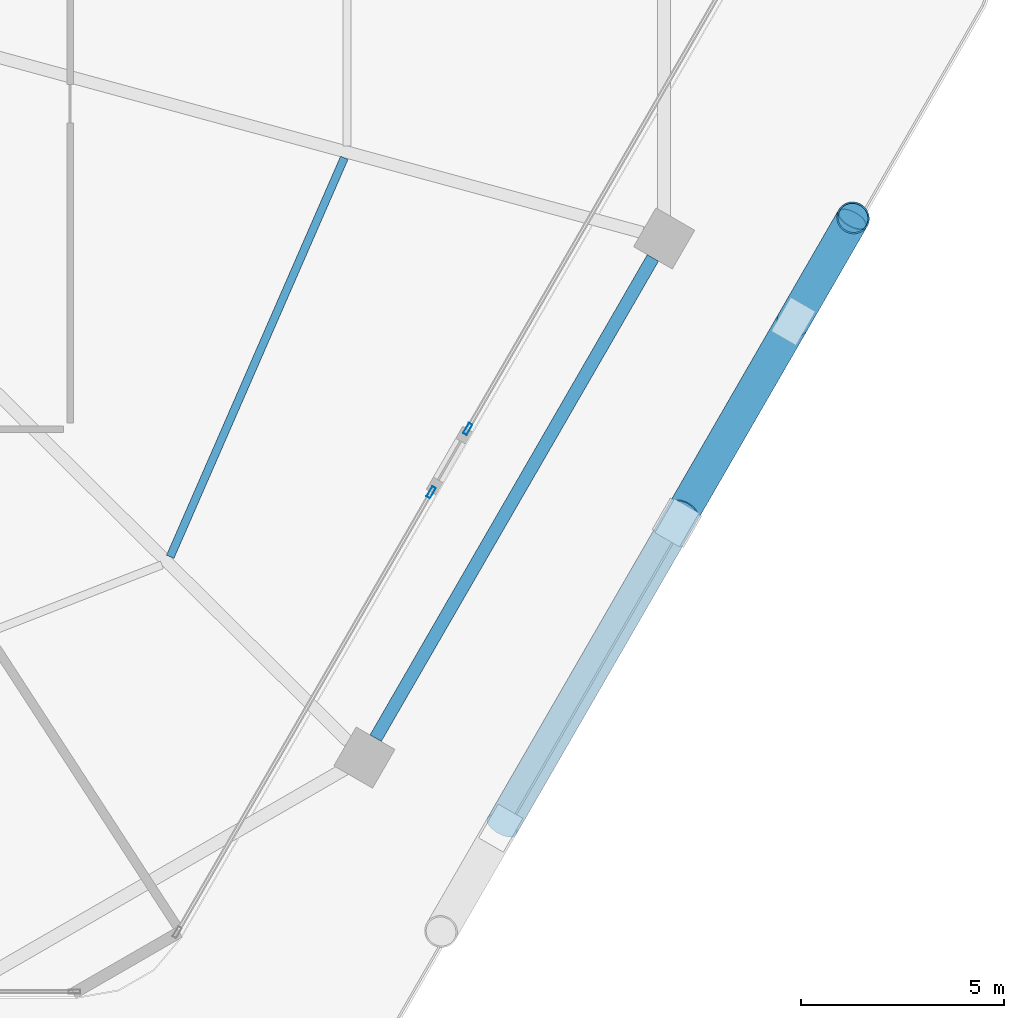
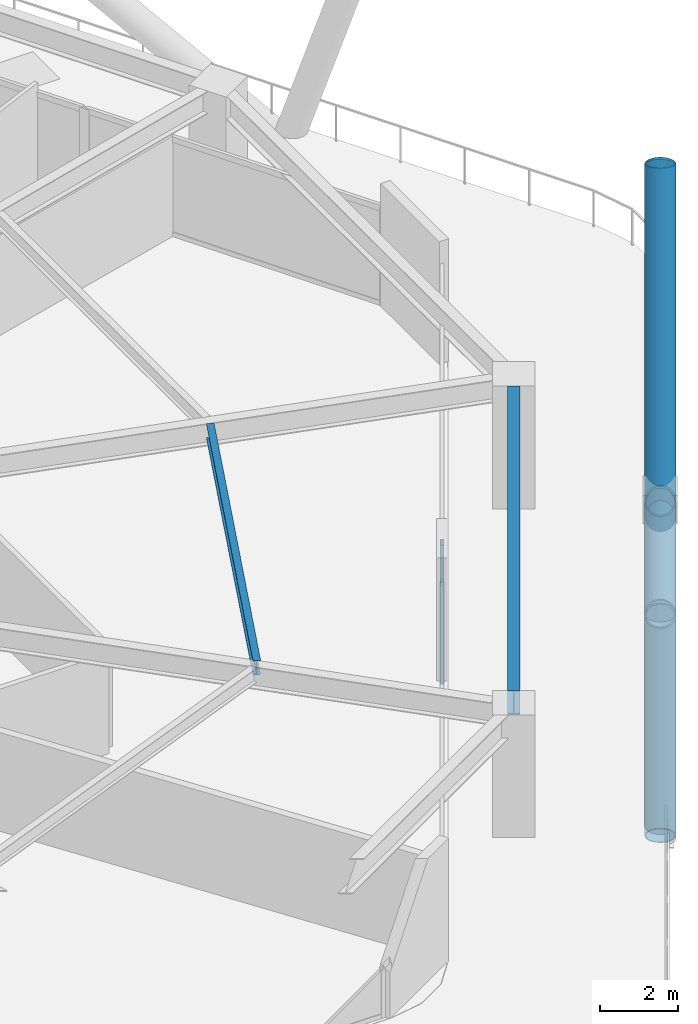
# One storey, part 10 of 28: 5 members, 2 beams, 2 elements without a shape of their own.
"""IFC4 building model written with IfcOpenShell, lengths in metres."""

from ifc_helpers import new_model, si_unit, direction, frame, origin, origin_2d, place, context, subcontext, project, spatial, hollow_rectangle, hollow_circle, i_section, extrude, material, material_profile, profile_set, type_object, element, aggregate, save


model = new_model("IFC4")

# Units and contexts
model_context = context("Model", 3, precision=1e-05, world=origin(), true_north=direction((0.0, 1.0)))
body_context = subcontext(model_context, "Body", "Model", "MODEL_VIEW")
ifc_project = project(units=[si_unit("LENGTHUNIT", "METRE"), si_unit("AREAUNIT", "SQUARE_METRE"), si_unit("VOLUMEUNIT", "CUBIC_METRE"), si_unit("PLANEANGLEUNIT", "RADIAN"), si_unit("MASSUNIT", "GRAM", prefix="KILO")], contexts=[model_context])

# Site, building, storey
site_placement = place(None, origin())
site = spatial("IfcSite", under=ifc_project, at=site_placement, CompositionType="ELEMENT")
building_placement = place(site_placement, origin())
building = spatial("IfcBuilding", under=site, at=building_placement, Name="Zuhravey Tower", CompositionType="ELEMENT")
storey_placement = place(building_placement, frame((0.0, 0.0, 83.39990234375)))
storey = spatial("IfcBuildingStorey", under=building, at=storey_placement, Name="L20", CompositionType="ELEMENT", Elevation=83.39990234375)

# Members
ifc_material_1 = material(Name="Steel SM460", Category="steel")
ifc_material_profile_1 = material_profile(ifc_material_1, hollow_circle(Radius=0.406494140625, WallThickness=0.035888671875, at=origin_2d()), Name="CHS-812.8x36")
ifc_profile_set_1 = profile_set([ifc_material_profile_1], Name="Steel SM460")
member_type_1 = type_object("IfcMemberType", Name="Exoskeleton Zone 1 Diagrid CHS813x36", PredefinedType="BRACE", material=ifc_profile_set_1)
member_1_placement = place(storey_placement, frame((59.893310546875, 9.947265625, -0.471923828125), z_axis=(0.443417750143, 0.768021638809, 0.462085988944), x_axis=(-0.866025281604, 0.500000211623, 0.0)))
element("IfcMember", 1, at=member_1_placement, inside=storey, type_object=member_type_1, Name="L20 Face 6 Diagrid Brace 2", PredefinedType="BRACE", context=body_context, shape_type="SweptSolid", body=[
    extrude(hollow_circle(Radius=0.406494140625, WallThickness=0.035888671875, at=origin_2d()), origin(), (0.0, 0.0, 1.0), 19.44677734375),
])
member_2_placement = place(storey_placement, frame((67.069580078125, 22.376953125, -0.471923828125), z_axis=(0.154911570168, 0.268363565529, 0.950780417407), x_axis=(-0.866064817651, 0.499931726966, 0.0)))
element("IfcMember", 2, at=member_2_placement, inside=storey, type_object=member_type_1, Name="L20 Face 6 Diagrid Brace 4", PredefinedType="BRACE", context=body_context, shape_type="SweptSolid", body=[
    extrude(hollow_circle(Radius=0.406494140625, WallThickness=0.035888671875, at=origin_2d()), origin(), (0.0, 0.0, 1.0), 9.451171875),
])
member_3_placement = place(storey_placement, frame((67.047119140625, 22.33837890625, -0.46435546875), z_axis=(-0.392523408778, -0.679898338767, 0.619405862503), x_axis=(0.866034272784, -0.499984638128, 0.0)))
element("IfcMember", 3, at=member_3_placement, inside=storey, type_object=member_type_1, Name="L20 Face 6 Split Diagrid Brace 3A", PredefinedType="BRACE", context=body_context, shape_type="SweptSolid", body=[
    extrude(hollow_circle(Radius=0.406494140625, WallThickness=0.035888671875, at=origin_2d()), origin(), (0.0, 0.0, 1.0), 6.844970703125),
])

# Curtain wall, member
ifc_material_2 = material(Name="Thermally broken anodised aluminium", Category="aluminium")
curtain_wall_type = type_object("IfcCurtainWallType", Name="Sky-Playground Recessed Curtain Wall CW2", PredefinedType="NOTDEFINED", material=ifc_material_2)
curtain_wall_1_placement = place(storey_placement, origin())
curtain_wall_1 = element("IfcCurtainWall", 4, at=curtain_wall_1_placement, inside=storey, type_object=curtain_wall_type, Name="L20 CW2 CW-L20-F6-1", PredefinedType="NOTDEFINED")
ifc_material_3 = material(Name="Anodised aluminium", Category="aluminium")
ifc_material_profile_2 = material_profile(ifc_material_3, hollow_rectangle(XDim=0.10009765625, YDim=0.2900390625, WallThickness=0.006103515625, at=origin_2d()), Name="ALU-RHS-100x290x6")
ifc_profile_set_2 = profile_set([ifc_material_profile_2], Name="Anodised aluminium")
member_type_2 = type_object("IfcMemberType", Name="Heavy Tall-Storey Mullion 100x220", PredefinedType="MULLION", material=ifc_profile_set_2)
member_4_placement = place(storey_placement, frame((59.060546875, 19.72509765625, 0.0), z_axis=(0.0, 0.0, 1.0), x_axis=(0.866027160758, -0.499996956819, 0.0)))
member_4 = element("IfcMember", 5, at=member_4_placement, type_object=member_type_2, Name="CW2 mullion 2", PredefinedType="MULLION", context=body_context, shape_type="SweptSolid", body=[
    extrude(hollow_rectangle(XDim=0.10009765625, YDim=0.2900390625, WallThickness=0.006103515625, at=origin_2d()), origin(), (0.0, 0.0, 1.0), 3.10009765625),
])
aggregate(curtain_wall_1, [member_4])

curtain_wall_2_placement = place(storey_placement, origin())
curtain_wall_2 = element("IfcCurtainWall", 6, at=curtain_wall_2_placement, inside=storey, type_object=curtain_wall_type, Name="L20 CW2 CW-L20-F6-2", PredefinedType="NOTDEFINED")
member_5_placement = place(storey_placement, frame((58.16064453125, 18.16650390625, 0.0), z_axis=(0.0, 0.0, 1.0), x_axis=(0.866025707437, -0.499999474059, 0.0)))
member_5 = element("IfcMember", 7, at=member_5_placement, type_object=member_type_2, Name="CW2 mullion 1", PredefinedType="MULLION", context=body_context, shape_type="SweptSolid", body=[
    extrude(hollow_rectangle(XDim=0.10009765625, YDim=0.2900390625, WallThickness=0.006103515625, at=origin_2d()), origin(), (0.0, 0.0, 1.0), 3.10009765625),
])
aggregate(curtain_wall_2, [member_5])

# Beams
ifc_material_4 = material(Name="Steel SM355", Category="steel")
ifc_material_profile_3 = material_profile(ifc_material_4, i_section(OverallWidth=0.320068359375, OverallDepth=0.75, WebThickness=0.013916015625, FlangeThickness=0.02490234375, at=origin_2d()), Name="H-750x320x14x25")
ifc_profile_set_3 = profile_set([ifc_material_profile_3], Name="Steel SM355")
beam_type_1 = type_object("IfcBeamType", Name="Perimeter Ring Beam H750x320", PredefinedType="BEAM", material=ifc_profile_set_3)
beam_1_placement = place(storey_placement, frame((56.79541015625, 12.1220703125, 3.47509765625), z_axis=(0.500008177929, 0.866020682204, 0.0), x_axis=(-0.866020682204, 0.500008177929, 0.0)))
element("IfcBeam", 8, at=beam_1_placement, inside=storey, type_object=beam_type_1, Name="L20 PB1 BM-L20-PB-11", PredefinedType="BEAM", context=body_context, shape_type="SweptSolid", body=[
    extrude(i_section(OverallWidth=0.320068359375, OverallDepth=0.75, WebThickness=0.013916015625, FlangeThickness=0.02490234375, at=origin_2d()), origin(), (0.0, 0.0, 1.0), 13.634033203125),
])
ifc_material_profile_4 = material_profile(ifc_material_4, i_section(OverallWidth=0.199951171875, OverallDepth=0.449951171875, WebThickness=0.009033203125, FlangeThickness=0.013916015625, at=origin_2d()), Name="H-450x200x9x14")
ifc_profile_set_4 = profile_set([ifc_material_profile_4], Name="Steel SM355")
beam_type_2 = type_object("IfcBeamType", Name="Secondary Floor Joist H450x200", PredefinedType="JOIST", material=ifc_profile_set_4)
beam_2_placement = place(storey_placement, frame((51.7451171875, 16.58154296875, 3.625), z_axis=(0.399923551578, 0.916548500022, 0.0), x_axis=(-0.916548500022, 0.399923551578, 0.0)))
element("IfcBeam", 9, at=beam_2_placement, inside=storey, type_object=beam_type_2, Name="L20 SJ1 BM-L20-SJ-11-1", PredefinedType="JOIST", context=body_context, shape_type="SweptSolid", body=[
    extrude(i_section(OverallWidth=0.199951171875, OverallDepth=0.449951171875, WebThickness=0.009033203125, FlangeThickness=0.013916015625, at=origin_2d()), origin(), (0.0, 0.0, 1.0), 10.70263671875),
])

save(model, "model.ifc")
